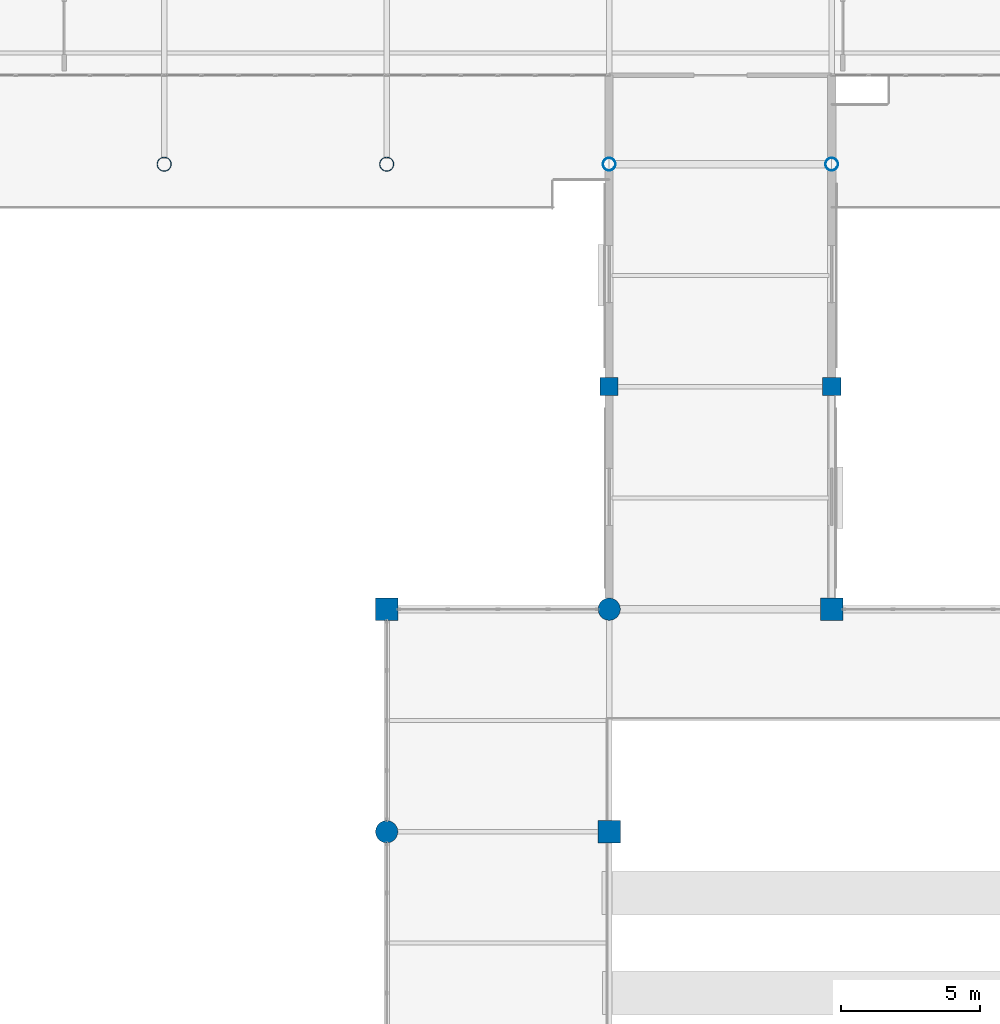
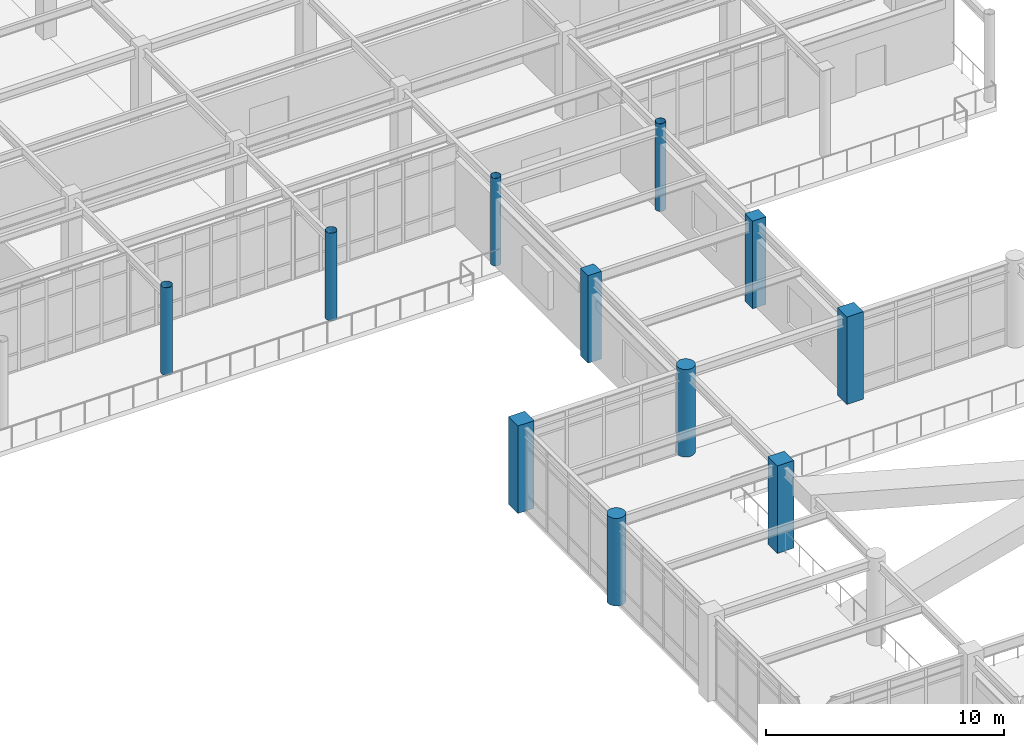
# One storey, part 8 of 75: 11 columns.
"""IFC4 building model written with IfcOpenShell, lengths in metres."""

from ifc_helpers import new_model, si_unit, direction, frame, origin, origin_2d, place, context, subcontext, project, spatial, rectangle, circle, hollow_circle, extrude, material, material_profile, profile_set, type_object, element, save


model = new_model("IFC4")

# Units and contexts
model_context = context("Model", 3, precision=1e-05, world=origin(), true_north=direction((0.0, 1.0)))
body_context = subcontext(model_context, "Body", "Model", "MODEL_VIEW")
ifc_project = project(units=[si_unit("LENGTHUNIT", "METRE"), si_unit("AREAUNIT", "SQUARE_METRE"), si_unit("VOLUMEUNIT", "CUBIC_METRE"), si_unit("PLANEANGLEUNIT", "RADIAN"), si_unit("MASSUNIT", "GRAM", prefix="KILO")], contexts=[model_context])

# Site, building, storey
site_placement = place(None, origin())
site = spatial("IfcSite", under=ifc_project, at=site_placement, CompositionType="ELEMENT")
building_placement = place(site_placement, origin())
building = spatial("IfcBuilding", under=site, at=building_placement, Name="Solmirada Galleria", CompositionType="ELEMENT")
storey_placement = place(building_placement, frame((0.0, 0.0, 19.39990234375)))
storey = spatial("IfcBuildingStorey", under=building, at=storey_placement, Name="L04", CompositionType="ELEMENT", Elevation=19.39990234375)

# Columns
ifc_material_1 = material(Name="Steel S355 / ASTM A500 Grade C", Category="steel")
ifc_material_profile_1 = material_profile(ifc_material_1, hollow_circle(Radius=0.228515625, WallThickness=0.01171875, at=origin_2d()), Name="HSS18.000X0.500")
ifc_profile_set_1 = profile_set([ifc_material_profile_1], Name="Steel S355 / ASTM A500 Grade C")
column_type_1 = type_object("IfcColumnType", Name="COL-CHS18", PredefinedType="COLUMN", material=ifc_profile_set_1)
for number, where, z_axis, x_axis, name in (
    (1, (88.0, 88.0, 0.0), (0.0, 0.0, 1.0), (1.0, 0.0, 0.0), "Structural column L04-0554"),
    (2, (96.0, 88.0, 0.0), (0.0, 0.0, 1.0), (1.0, 0.0, 0.0), "Structural column L04-0662"),
):
    element("IfcColumn", number, at=place(storey_placement, frame(where, z_axis=z_axis, x_axis=x_axis)), inside=storey, type_object=column_type_1, Name=name, PredefinedType="COLUMN", context=body_context, shape_type="SweptSolid", body=[
        extrude(hollow_circle(Radius=0.228515625, WallThickness=0.01171875, at=origin_2d()), origin(), (0.0, 0.0, 1.0), 4.5),
    ])
ifc_material_profile_2 = material_profile(ifc_material_1, hollow_circle(Radius=0.25390625, WallThickness=0.01171875, at=origin_2d()), Name="HSS20.000X0.500")
ifc_profile_set_2 = profile_set([ifc_material_profile_2], Name="Steel S355 / ASTM A500 Grade C")
column_type_2 = type_object("IfcColumnType", Name="COL-CHS20", PredefinedType="COLUMN", material=ifc_profile_set_2)
for number, where, z_axis, x_axis, name in (
    (3, (72.0, 88.0, 0.0), (0.0, 0.0, 1.0), (1.0, 0.0, 0.0), "Structural column L04-0315"),
    (4, (80.0, 88.0, 0.0), (0.0, 0.0, 1.0), (1.0, 0.0, 0.0), "Structural column L04-0432"),
):
    element("IfcColumn", number, at=place(storey_placement, frame(where, z_axis=z_axis, x_axis=x_axis)), inside=storey, type_object=column_type_2, Name=name, PredefinedType="COLUMN", context=body_context, shape_type="SweptSolid", body=[
        extrude(hollow_circle(Radius=0.25390625, WallThickness=0.01171875, at=origin_2d()), origin(), (0.0, 0.0, 1.0), 4.5),
    ])
ifc_material_2 = material(Name="Concrete C40/50", Category="concrete")
ifc_material_profile_3 = material_profile(ifc_material_2, circle(Radius=0.39990234375, at=origin_2d()), Name="RCCOL800")
ifc_profile_set_3 = profile_set([ifc_material_profile_3], Name="Concrete C40/50")
column_type_3 = type_object("IfcColumnType", Name="COL-CIR800", PredefinedType="COLUMN", material=ifc_profile_set_3)
for number, where, z_axis, x_axis, name in (
    (5, (80.0, 64.0, 0.0), (0.0, 0.0, 1.0), (1.0, 0.0, 0.0), "Structural column L04-0410"),
    (6, (88.0, 72.0, 0.0), (0.0, 0.0, 1.0), (1.0, 0.0, 0.0), "Structural column L04-0538"),
):
    element("IfcColumn", number, at=place(storey_placement, frame(where, z_axis=z_axis, x_axis=x_axis)), inside=storey, type_object=column_type_3, Name=name, PredefinedType="COLUMN", context=body_context, shape_type="SweptSolid", body=[
        extrude(circle(Radius=0.39990234375, at=origin_2d()), origin(), (0.0, 0.0, 1.0), 4.5),
    ])
ifc_material_profile_4 = material_profile(ifc_material_2, rectangle(XDim=0.64990234375, YDim=0.64990234375, at=origin_2d()), Name="RC650X650")
ifc_profile_set_4 = profile_set([ifc_material_profile_4], Name="Concrete C40/50")
column_type_4 = type_object("IfcColumnType", Name="COL-RC650", PredefinedType="COLUMN", material=ifc_profile_set_4)
for number, where, z_axis, x_axis, name in (
    (7, (88.0, 80.0, 0.0), (0.0, 0.0, 1.0), (1.0, 0.0, 0.0), "Structural column L04-0547"),
    (8, (96.0, 80.0, 0.0), (0.0, 0.0, 1.0), (1.0, 0.0, 0.0), "Structural column L04-0655"),
):
    element("IfcColumn", number, at=place(storey_placement, frame(where, z_axis=z_axis, x_axis=x_axis)), inside=storey, type_object=column_type_4, Name=name, PredefinedType="COLUMN", context=body_context, shape_type="SweptSolid", body=[
        extrude(rectangle(XDim=0.64990234375, YDim=0.64990234375, at=origin_2d()), origin(), (0.0, 0.0, 1.0), 4.5),
    ])
ifc_material_profile_5 = material_profile(ifc_material_2, rectangle(XDim=0.800048828125, YDim=0.800048828125, at=origin_2d()), Name="RC800X800")
ifc_profile_set_5 = profile_set([ifc_material_profile_5], Name="Concrete C40/50")
column_type_5 = type_object("IfcColumnType", Name="COL-RC800", PredefinedType="COLUMN", material=ifc_profile_set_5)
for number, where, z_axis, x_axis, name in (
    (9, (80.0, 72.0, 0.0), (0.0, 0.0, 1.0), (1.0, 0.0, 0.0), "Structural column L04-0419"),
    (10, (88.0, 64.0, 0.0), (0.0, 0.0, 1.0), (1.0, 0.0, 0.0), "Structural column L04-0531"),
    (11, (96.0, 72.0, 0.0), (0.0, 0.0, 1.0), (1.0, 0.0, 0.0), "Structural column L04-0646"),
):
    element("IfcColumn", number, at=place(storey_placement, frame(where, z_axis=z_axis, x_axis=x_axis)), inside=storey, type_object=column_type_5, Name=name, PredefinedType="COLUMN", context=body_context, shape_type="SweptSolid", body=[
        extrude(rectangle(XDim=0.800048828125, YDim=0.800048828125, at=origin_2d()), origin(), (0.0, 0.0, 1.0), 4.5),
    ])

save(model, "model.ifc")
